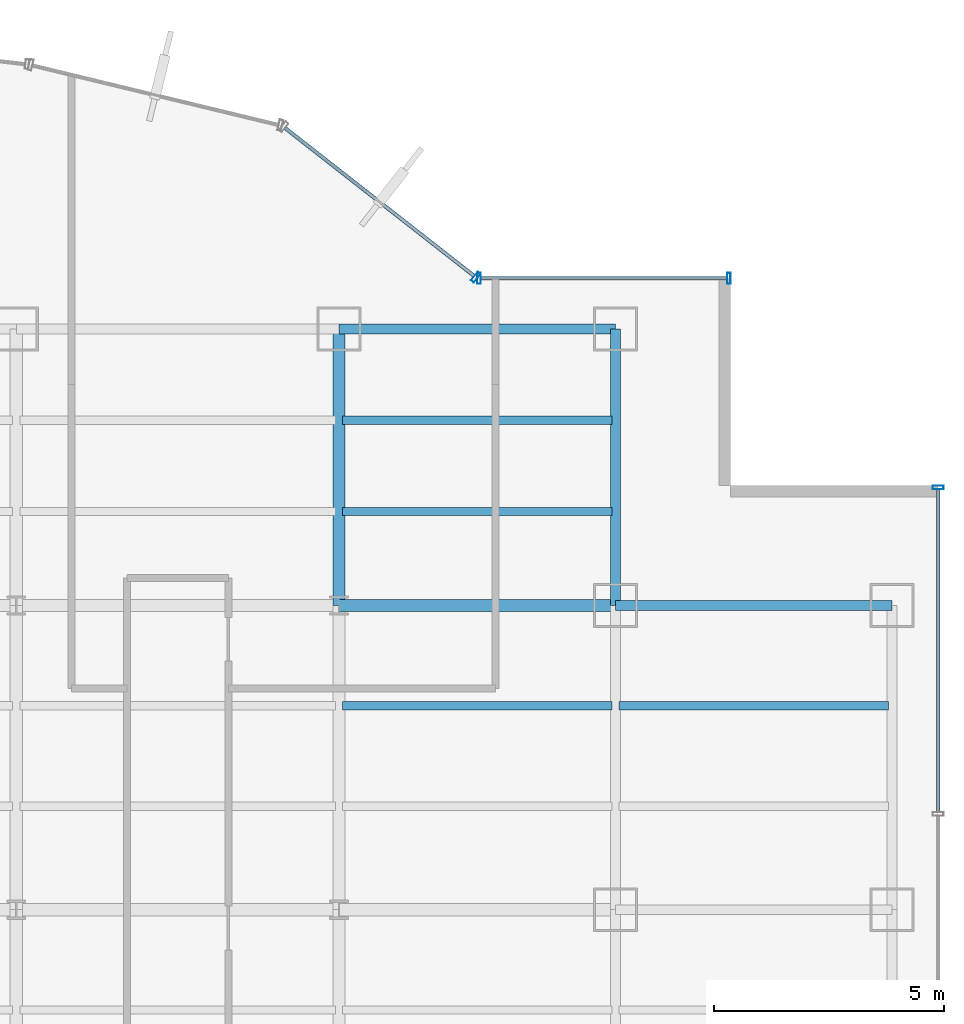
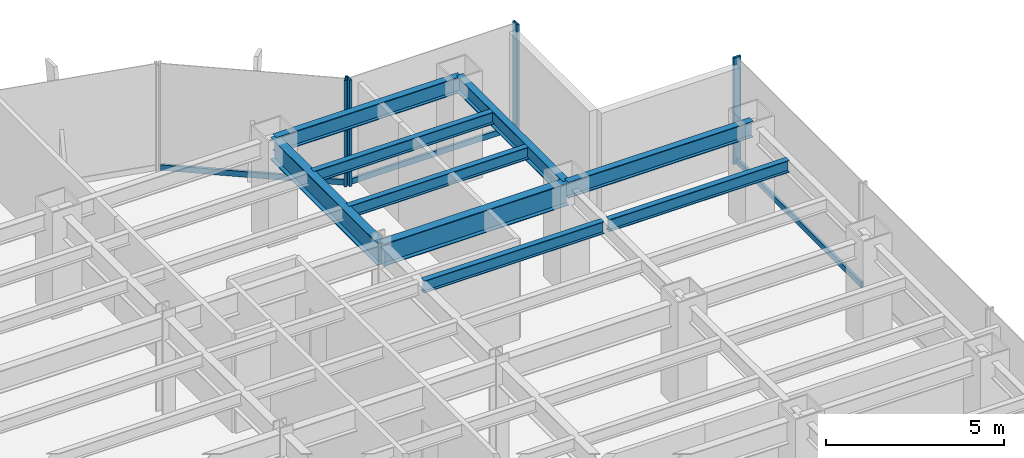
# One storey, part 15 of 22: 9 beams, 7 members, 3 elements without a shape of their own.
"""IFC4 building model written with IfcOpenShell, lengths in metres."""

from ifc_helpers import new_model, si_unit, derived_unit, direction, frame, origin, origin_2d, place, context, subcontext, project, spatial, hollow_rectangle, i_section, extrude, source, transform, mapped, material, material_profile, profile_set, type_object, element, aggregate, save


model = new_model("IFC4")

# Units and contexts
model_context = context("Model", 3, precision=1e-05, world=origin(), true_north=direction((0.0, 1.0)))
body_context = subcontext(model_context, "Body", "Model", "MODEL_VIEW")
ifc_project = project(units=[si_unit("LENGTHUNIT", "METRE"), si_unit("AREAUNIT", "SQUARE_METRE"), si_unit("VOLUMEUNIT", "CUBIC_METRE"), si_unit("PLANEANGLEUNIT", "RADIAN"), si_unit("MASSUNIT", "GRAM", prefix="KILO"), derived_unit("THERMALTRANSMITTANCEUNIT", [(si_unit("POWERUNIT", "WATT"), 1), (si_unit("LENGTHUNIT", "METRE"), -2), (si_unit("THERMODYNAMICTEMPERATUREUNIT", "KELVIN"), -1)])], contexts=[model_context])

# Site, building, storey
site_placement = place(None, origin())
site = spatial("IfcSite", under=ifc_project, at=site_placement, CompositionType="ELEMENT")
building_placement = place(site_placement, origin())
building = spatial("IfcBuilding", under=site, at=building_placement, Name="Skarnbrae Concourse Arena and Tower", CompositionType="ELEMENT")
storey_placement = place(building_placement, frame((0.0, 0.0, 58.050048828125)))
storey = spatial("IfcBuildingStorey", under=building, at=storey_placement, Name="L13", CompositionType="ELEMENT", Elevation=58.050048828125)

# Beams
ifc_material_1 = material(Name="Steel CSA G40.21 350W", Category="steel")
ifc_material_profile_1 = material_profile(ifc_material_1, i_section(OverallWidth=0.214111328125, OverallDepth=0.549072265625, WebThickness=0.0146484375, FlangeThickness=0.023681640625, at=origin_2d()), Name="W530X138")
ifc_profile_set_1 = profile_set([ifc_material_profile_1], Name="Steel CSA G40.21 350W")
beam_type_1 = type_object("IfcBeamType", Name="BM-SPAN-W530X138", PredefinedType="SPANDREL", material=ifc_profile_set_1)
shared_shape_1 = source(origin(), body_context, "Body", "SweptSolid", [
    extrude(i_section(OverallWidth=0.214111328125, OverallDepth=0.549072265625, WebThickness=0.0146484375, FlangeThickness=0.023681640625, at=origin_2d()), origin(), (0.0, 0.0, 1.0), 6.0),
])
for number, where, z_axis, x_axis, name in (
    (1, (55.0, 34.39990234375, 3.12548828125), (1.0, 0.0, 0.0), (0.0, 1.0, 0.0), "L13 Perimeter spandrel Y34.4-9"),
    (2, (49.0, 40.39990234375, 3.12548828125), (1.0, 0.0, 0.0), (0.0, 1.0, 0.0), "L13 Perimeter spandrel Y40.4-7"),
    (3, (55.0, 34.39990234375, 3.12548828125), (0.0, 1.0, 0.0), (-1.0, 0.0, 0.0), "L13 Perimeter spandrel X55.0-5"),
):
    element("IfcBeam", number, at=place(storey_placement, frame(where, z_axis=z_axis, x_axis=x_axis)), inside=storey, type_object=beam_type_1, Name=name, PredefinedType="SPANDREL", context=body_context, shape_type="MappedRepresentation", body=[
        mapped(shared_shape_1, transform((0.0, 0.0, 0.0))),
    ])
ifc_material_profile_2 = material_profile(ifc_material_1, i_section(OverallWidth=0.26806640625, OverallDepth=0.77001953125, WebThickness=0.015625, FlangeThickness=0.025390625, at=origin_2d()), Name="W760X196")
ifc_profile_set_2 = profile_set([ifc_material_profile_2], Name="Steel CSA G40.21 350W")
beam_type_2 = type_object("IfcBeamType", Name="BM-GIRD-W760X196", PredefinedType="BEAM", material=ifc_profile_set_2)
shared_shape_2 = source(origin(), body_context, "Body", "SweptSolid", [
    extrude(i_section(OverallWidth=0.26806640625, OverallDepth=0.77001953125, WebThickness=0.015625, FlangeThickness=0.025390625, at=origin_2d()), origin(), (0.0, 0.0, 1.0), 6.0),
])
for number, where, z_axis, x_axis, name in (
    (4, (49.0, 34.39990234375, 3.014892578125), (1.0, 0.0, 0.0), (0.0, 1.0, 0.0), "L13 Primary E-W girder Y34.4-8"),
    (5, (49.0, 34.39990234375, 3.014892578125), (0.0, 1.0, 0.0), (-1.0, 0.0, 0.0), "L13 Primary N-S girder X49.0-5"),
):
    element("IfcBeam", number, at=place(storey_placement, frame(where, z_axis=z_axis, x_axis=x_axis)), inside=storey, type_object=beam_type_2, Name=name, PredefinedType="BEAM", context=body_context, shape_type="MappedRepresentation", body=[
        mapped(shared_shape_2, transform((0.0, 0.0, 0.0))),
    ])
ifc_material_profile_3 = material_profile(ifc_material_1, i_section(OverallWidth=0.180908203125, OverallDepth=0.4169921875, WebThickness=0.010986328125, FlangeThickness=0.018310546875, at=origin_2d()), Name="W410X85")
ifc_profile_set_3 = profile_set([ifc_material_profile_3], Name="Steel CSA G40.21 350W")
beam_type_3 = type_object("IfcBeamType", Name="BM-JOIST-W410X85", PredefinedType="JOIST", material=ifc_profile_set_3)
shared_shape_3 = source(origin(), body_context, "Body", "SweptSolid", [
    extrude(i_section(OverallWidth=0.180908203125, OverallDepth=0.4169921875, WebThickness=0.010986328125, FlangeThickness=0.018310546875, at=origin_2d()), origin(), (0.0, 0.0, 1.0), 5.83984375),
])
for number, where, z_axis, x_axis, name in (
    (6, (49.080078125, 32.221923828125, 3.19140625), (1.0, 0.0, 0.0), (0.0, 1.0, 0.0), "L13 Secondary floor joist 3.2.8"),
    (7, (55.080078125, 32.221923828125, 3.19140625), (1.0, 0.0, 0.0), (0.0, 1.0, 0.0), "L13 Secondary floor joist 3.2.9"),
    (8, (49.080078125, 36.43994140625, 3.19140625), (1.0, 0.0, 0.0), (0.0, 1.0, 0.0), "L13 Secondary floor joist 4.1.7"),
    (9, (49.080078125, 38.419921875, 3.19140625), (1.0, 0.0, 0.0), (0.0, 1.0, 0.0), "L13 Secondary floor joist 4.2.7"),
):
    element("IfcBeam", number, at=place(storey_placement, frame(where, z_axis=z_axis, x_axis=x_axis)), inside=storey, type_object=beam_type_3, Name=name, PredefinedType="JOIST", context=body_context, shape_type="MappedRepresentation", body=[
        mapped(shared_shape_3, transform((0.0, 0.0, 0.0))),
    ])

# Curtain wall, member
ifc_material_2 = material(Name="Bronze anodised aluminium 6063-T6", Category="aluminium")
curtain_wall_type = type_object("IfcCurtainWallType", Name="CW-SYS-02-LOWZONE", PredefinedType="USERDEFINED", material=ifc_material_2)
curtain_wall_1_placement = place(storey_placement, origin())
curtain_wall_1 = element("IfcCurtainWall", 10, at=curtain_wall_1_placement, inside=storey, type_object=curtain_wall_type, Name="L13 Unitised curtain wall CW-L13-E04", ObjectType="UNITISED CURTAIN WALL", PredefinedType="USERDEFINED")
ifc_material_profile_4 = material_profile(ifc_material_2, hollow_rectangle(XDim=0.080078125, YDim=0.239990234375, WallThickness=0.0048828125, at=origin_2d()), Name="ALU-MULL-80X240")
ifc_profile_set_4 = profile_set([ifc_material_profile_4], Name="Bronze anodised aluminium 6063-T6")
member_type_1 = type_object("IfcMemberType", Name="CWM-CW-02", PredefinedType="MULLION", material=ifc_profile_set_4)
shared_shape_4 = source(origin(), body_context, "Body", "SweptSolid", [
    extrude(hollow_rectangle(XDim=0.080078125, YDim=0.239990234375, WallThickness=0.0048828125, at=origin_2d()), origin(), (0.0, 0.0, 1.0), 3.64990234375),
])
member_1_placement = place(storey_placement, frame((62.0, 36.9599609375, 0.0), z_axis=(0.0, 0.0, 1.0), x_axis=(0.0, 1.0, 0.0)))
member_1 = element("IfcMember", 11, at=member_1_placement, type_object=member_type_1, Name="CW-L13-E04 Mullion 5", PredefinedType="MULLION", context=body_context, shape_type="MappedRepresentation", body=[
    mapped(shared_shape_4, transform((0.0, 0.0, 0.0))),
])

# Curtain wall, members
curtain_wall_2_placement = place(storey_placement, origin())
curtain_wall_2 = element("IfcCurtainWall", 12, at=curtain_wall_2_placement, inside=storey, type_object=curtain_wall_type, Name="L13 Unitised curtain wall CW-L13-E07", ObjectType="UNITISED CURTAIN WALL", PredefinedType="USERDEFINED")
member_2_placement = place(storey_placement, frame((57.4599609375, 41.5, 0.0), z_axis=(0.0, 0.0, 1.0), x_axis=(-1.0, 0.0, 0.0)))
member_2 = element("IfcMember", 13, at=member_2_placement, type_object=member_type_1, Name="CW-L13-E07 Mullion 1", PredefinedType="MULLION", context=body_context, shape_type="MappedRepresentation", body=[
    mapped(shared_shape_4, transform((0.0, 0.0, 0.0))),
])
member_3_placement = place(storey_placement, frame((52.0400390625, 41.5, 0.0), z_axis=(0.0, 0.0, 1.0), x_axis=(-1.0, 0.0, 0.0)))
member_3 = element("IfcMember", 14, at=member_3_placement, type_object=member_type_1, Name="CW-L13-E07 Mullion 2", PredefinedType="MULLION", context=body_context, shape_type="MappedRepresentation", body=[
    mapped(shared_shape_4, transform((0.0, 0.0, 0.0))),
])

# Curtain wall, member
curtain_wall_3_placement = place(storey_placement, origin())
curtain_wall_3 = element("IfcCurtainWall", 15, at=curtain_wall_3_placement, inside=storey, type_object=curtain_wall_type, Name="L13 Unitised curtain wall CW-L13-E08", ObjectType="UNITISED CURTAIN WALL", PredefinedType="USERDEFINED")
member_4_placement = place(storey_placement, frame((51.968505859375, 41.524658203125, 0.0), z_axis=(0.0, 0.0, 1.0), x_axis=(-0.787651726054, 0.616120733658, 0.0)))
member_4 = element("IfcMember", 16, at=member_4_placement, type_object=member_type_1, Name="CW-L13-E08 Mullion 1", PredefinedType="MULLION", context=body_context, shape_type="MappedRepresentation", body=[
    mapped(shared_shape_4, transform((0.0, 0.0, 0.0))),
])

# Member
ifc_material_profile_5 = material_profile(ifc_material_2, hollow_rectangle(XDim=0.080078125, YDim=0.18994140625, WallThickness=0.0048828125, at=origin_2d()), Name="ALU-TRAN-80X190")
ifc_profile_set_5 = profile_set([ifc_material_profile_5], Name="Bronze anodised aluminium 6063-T6")
member_type_2 = type_object("IfcMemberType", Name="CWT-CW-02", PredefinedType="USERDEFINED", material=ifc_profile_set_5)
shared_shape_5 = source(origin(), body_context, "Body", "SweptSolid", [
    extrude(hollow_rectangle(XDim=0.080078125, YDim=0.18994140625, WallThickness=0.0048828125, at=origin_2d()), origin(), (0.0, 0.0, 1.0), 7.0048828125),
])
member_5_placement = place(storey_placement, frame((62.0, 29.9150390625, 0.094970703125), z_axis=(0.0, 1.0, 0.0), x_axis=(-1.0, 0.0, 0.0)))
member_5 = element("IfcMember", 17, at=member_5_placement, type_object=member_type_2, Name="CW-L13-E04 Transom 4", ObjectType="TRANSOM", PredefinedType="USERDEFINED", context=body_context, shape_type="MappedRepresentation", body=[
    mapped(shared_shape_5, transform((0.0, 0.0, 0.0))),
])

aggregate(curtain_wall_1, [member_1, member_5])

shared_shape_6 = source(origin(), body_context, "Body", "SweptSolid", [
    extrude(hollow_rectangle(XDim=0.080078125, YDim=0.18994140625, WallThickness=0.0048828125, at=origin_2d()), origin(), (0.0, 0.0, 1.0), 5.33984375),
])
member_6_placement = place(storey_placement, frame((57.419921875, 41.5, 0.094970703125), z_axis=(-1.0, 0.0, 0.0), x_axis=(0.0, -1.0, 0.0)))
member_6 = element("IfcMember", 18, at=member_6_placement, type_object=member_type_2, Name="CW-L13-E07 Transom 1", ObjectType="TRANSOM", PredefinedType="USERDEFINED", context=body_context, shape_type="MappedRepresentation", body=[
    mapped(shared_shape_6, transform((0.0, 0.0, 0.0))),
])

aggregate(curtain_wall_2, [member_2, member_3, member_6])

shared_shape_7 = source(origin(), body_context, "Body", "SweptSolid", [
    extrude(hollow_rectangle(XDim=0.080078125, YDim=0.18994140625, WallThickness=0.0048828125, at=origin_2d()), origin(), (0.0, 0.0, 1.0), 5.215087890625),
])
member_7_placement = place(storey_placement, frame((51.93701171875, 41.54931640625, 0.094970703125), z_axis=(-0.787650196702, 0.616122688784, 0.0), x_axis=(-0.616122688784, -0.787650196702, 0.0)))
member_7 = element("IfcMember", 19, at=member_7_placement, type_object=member_type_2, Name="CW-L13-E08 Transom 1", ObjectType="TRANSOM", PredefinedType="USERDEFINED", context=body_context, shape_type="MappedRepresentation", body=[
    mapped(shared_shape_7, transform((0.0, 0.0, 0.0))),
])

aggregate(curtain_wall_3, [member_4, member_7])

save(model, "model.ifc")
